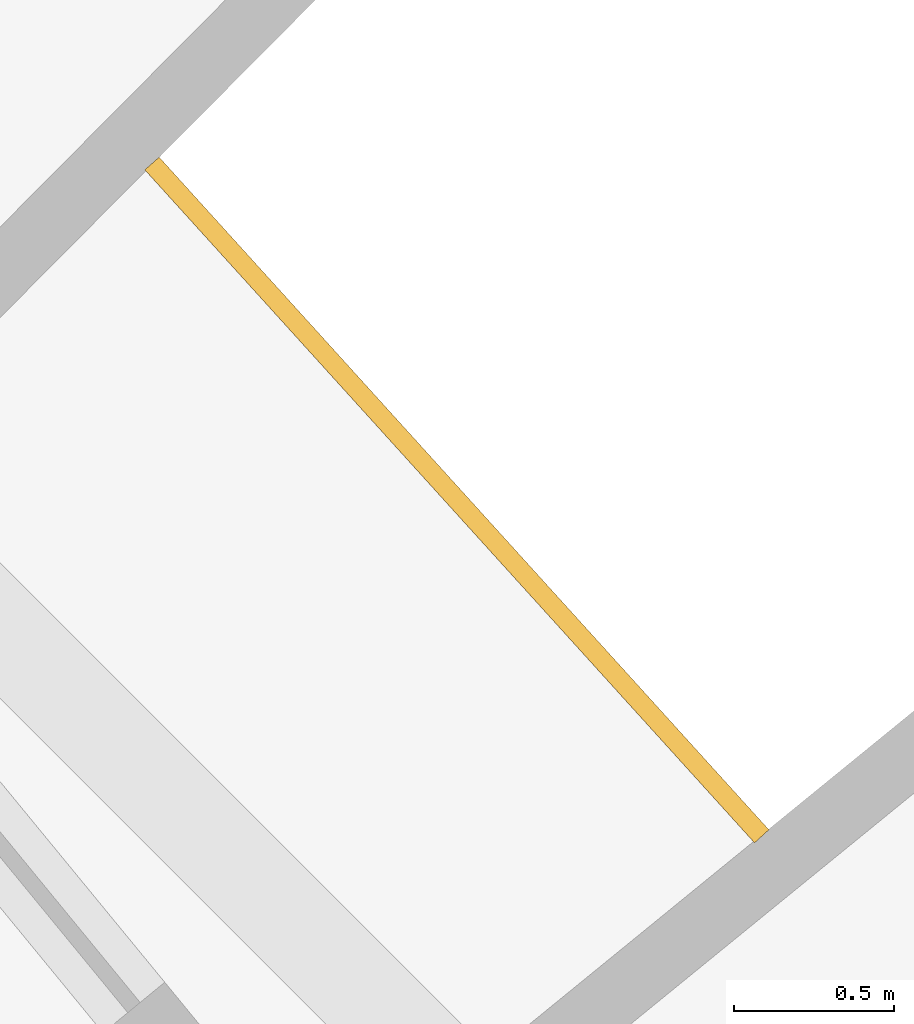
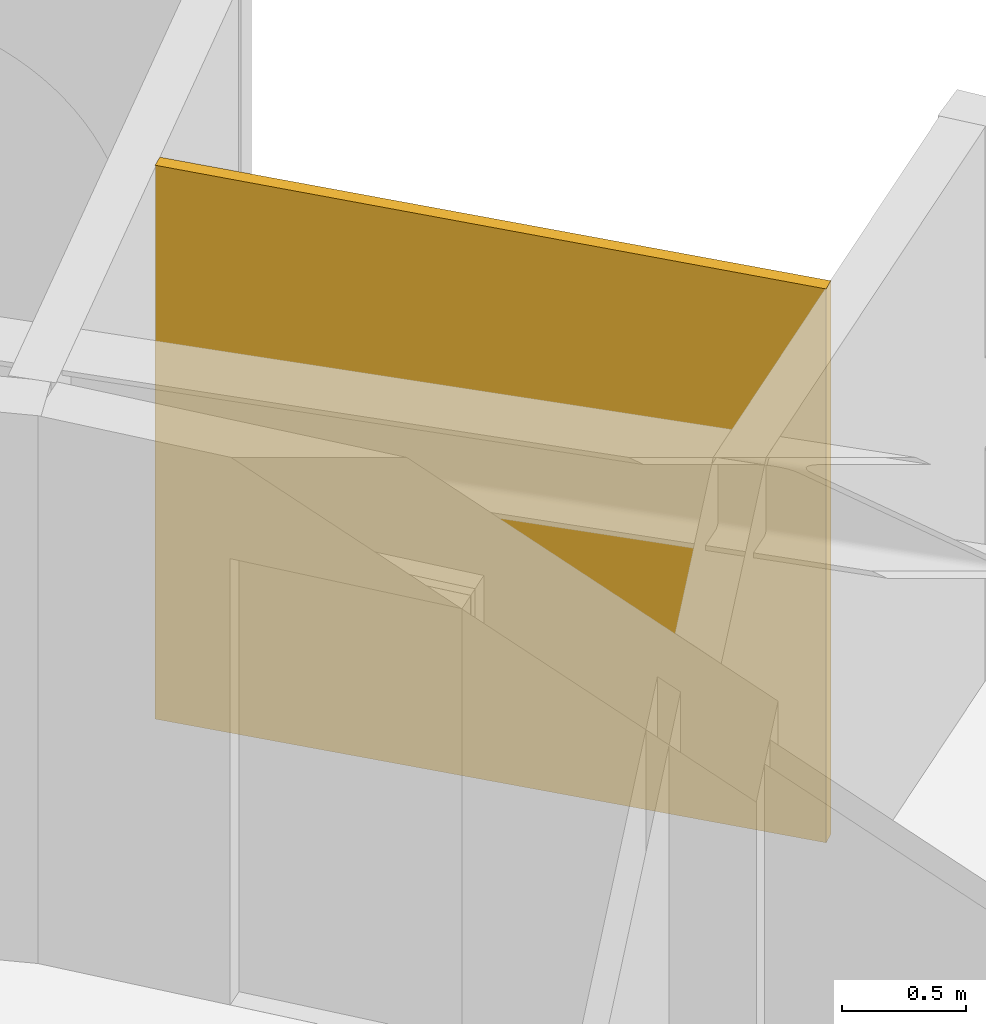
# One storey, part 27 of 27: 1 railing.
"""IFC4 building model written with IfcOpenShell, lengths in metres."""

from ifc_helpers import new_model, si_unit, direction, frame, origin, place, context, subcontext, project, spatial, polyline, outline, extrude, material, layer, layer_set, type_object, element, save


model = new_model("IFC4")

# Units and contexts
model_context = context("Model", 3, precision=1e-05, world=origin(), true_north=direction((0.0, 1.0)))
body_context = subcontext(model_context, "Body", "Model", "MODEL_VIEW")
ifc_project = project(units=[si_unit("LENGTHUNIT", "METRE"), si_unit("AREAUNIT", "SQUARE_METRE"), si_unit("VOLUMEUNIT", "CUBIC_METRE"), si_unit("PLANEANGLEUNIT", "RADIAN"), si_unit("MASSUNIT", "GRAM", prefix="KILO")], contexts=[model_context])

# Site, building, storey
site_placement = place(None, origin())
site = spatial("IfcSite", under=ifc_project, at=site_placement, CompositionType="ELEMENT")
building_placement = place(site_placement, origin())
building = spatial("IfcBuilding", under=site, at=building_placement, Name="Maasbend Ring Residences", CompositionType="ELEMENT")
storey_placement = place(building_placement, frame((0.0, 0.0, 145.199951171875)))
storey = spatial("IfcBuildingStorey", under=building, at=storey_placement, Name="L41", CompositionType="ELEMENT", Elevation=145.199951171875)

# Railing
ifc_material = material(Name="Pale anodised perforated aluminium", Category="aluminium")
ifc_layer = layer(ifc_material, 0.06005859375)
ifc_layer_set = layer_set([ifc_layer], Name="SCREEN-P")
railing_type = type_object("IfcRailingType", Name="SCREEN-P", PredefinedType="GUARDRAIL", material=ifc_layer_set)
railing_placement = place(storey_placement, frame((0.0, 0.0, -0.030029296875)))
element("IfcRailing", 1, at=railing_placement, inside=storey, type_object=railing_type, Name="Perforated screen guard 1", PredefinedType="GUARDRAIL", context=body_context, shape_type="SweptSolid", body=[
    extrude(outline(polyline([(22.4169921875, 18.39697265625), (20.506103515625, 20.506103515625), (20.551025390625, 20.5458984375), (22.4619140625, 18.43798828125), (22.4169921875, 18.39697265625)])), origin(), (0.0, 0.0, 1.0), 2.72998046875),
])

save(model, "model.ifc")
